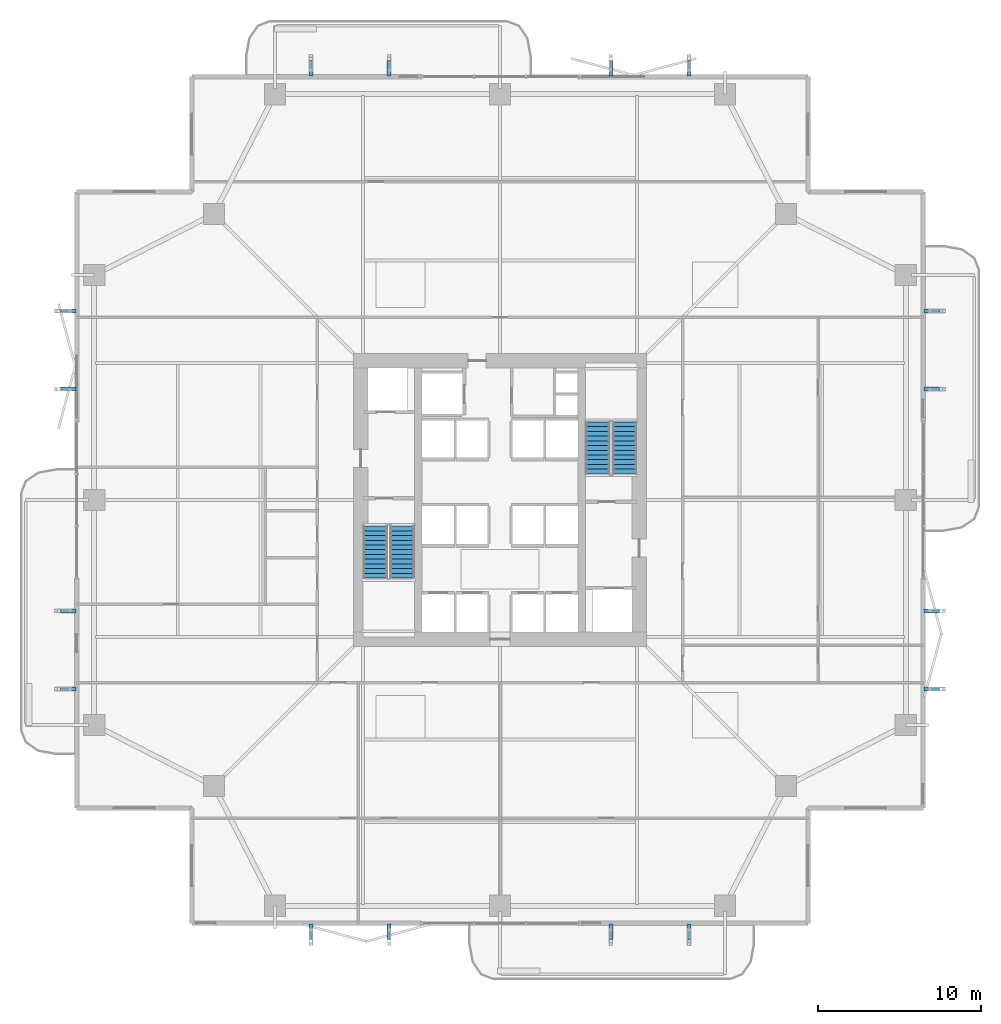
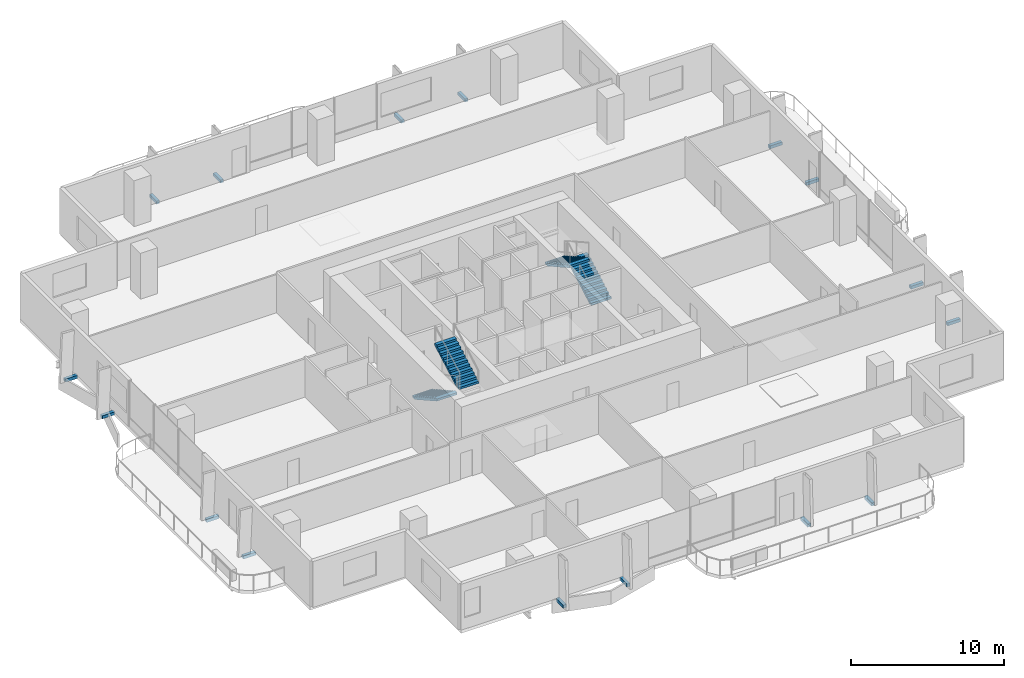
# One storey, part 20 of 24: 16 discrete accessories, 4 stair flights, 2 elements without a shape of their own.
"""IFC4 building model written with IfcOpenShell, lengths in metres."""

from ifc_helpers import new_model, si_unit, direction, frame, origin, origin_2d, place, context, subcontext, project, spatial, polyline, rectangle, outline, extrude, material, layer, layer_set, type_object, element, aggregate, save


model = new_model("IFC4")

# Units and contexts
model_context = context("Model", 3, precision=1e-05, world=origin(), true_north=direction((0.0, 1.0)))
body_context = subcontext(model_context, "Body", "Model", "MODEL_VIEW")
ifc_project = project(units=[si_unit("LENGTHUNIT", "METRE"), si_unit("AREAUNIT", "SQUARE_METRE"), si_unit("VOLUMEUNIT", "CUBIC_METRE"), si_unit("PLANEANGLEUNIT", "RADIAN"), si_unit("MASSUNIT", "GRAM", prefix="KILO")], contexts=[model_context])

# Site, building, storey
site_placement = place(None, origin())
site = spatial("IfcSite", under=ifc_project, at=site_placement, CompositionType="ELEMENT")
building_placement = place(site_placement, origin())
building = spatial("IfcBuilding", under=site, at=building_placement, Name="Belovzor Exchange Tower", CompositionType="ELEMENT")
storey_placement = place(building_placement, frame((0.0, 0.0, 121.199951171875)))
storey = spatial("IfcBuildingStorey", under=building, at=storey_placement, Name="L29", CompositionType="ELEMENT", Elevation=121.199951171875)

# Stair, stair flights
ifc_material_1 = material(Name="Concrete C40/50", Category="concrete")
stair_type = type_object("IfcStairType", Name="Reinforced Concrete Dogleg Escape Stair 1350", PredefinedType="HALF_TURN_STAIR", material=ifc_material_1)
stair_1_placement = place(storey_placement, origin())
stair_1 = element("IfcStair", 1, at=stair_1_placement, inside=storey, type_object=stair_type, Name="L29 ST-1", PredefinedType="HALF_TURN_STAIR")
ifc_material_2 = material(Name="Concrete C40/50", Category="concrete")
stair_flight_type = type_object("IfcStairFlightType", Name="Reinforced Concrete Stair Flight 1350", PredefinedType="STRAIGHT", material=ifc_material_2)
stair_flight_1_placement = place(storey_placement, frame((21.14990234375, 27.199951171875, 0.0), z_axis=(0.0, 0.0, 1.0), x_axis=(0.0, -1.0, 0.0)))
stair_flight_1 = element("IfcStairFlight", 2, at=stair_flight_1_placement, type_object=stair_flight_type, Name="ST-1 flight 1", NumberOfRisers=12, NumberOfTreads=11, PredefinedType="STRAIGHT", RiserHeight=0.1625, TreadLength=0.29, context=body_context, shape_type="SweptSolid", body=[
    extrude(outline(polyline([(0.0, 0.0), (0.0, 0.16259765625), (0.2900390625, 0.16259765625), (0.2900390625, 0.324951171875), (0.580078125, 0.324951171875), (0.580078125, 0.487548828125), (0.8701171875, 0.487548828125), (0.8701171875, 0.64990234375), (1.159912109375, 0.64990234375), (1.159912109375, 0.8125), (1.449951171875, 0.8125), (1.449951171875, 0.97509765625), (1.739990234375, 0.97509765625), (1.739990234375, 1.137451171875), (2.030029296875, 1.137451171875), (2.030029296875, 1.300048828125), (2.320068359375, 1.300048828125), (2.320068359375, 1.46240234375), (2.610107421875, 1.46240234375), (2.610107421875, 1.625), (2.89990234375, 1.625), (2.89990234375, 1.78759765625), (3.18994140625, 1.78759765625), (3.18994140625, 1.949951171875), (3.18994140625, 1.61572265625), (0.306640625, 0.0), (0.0, 0.0)])), frame((0.0, 0.75, 0.0), z_axis=(0.0, -1.0, 0.0), x_axis=(1.0, 0.0, 0.0)), (0.0, 0.0, 1.0), 1.5),
])
stair_flight_2_placement = place(storey_placement, frame((22.800048828125, 24.010009765625, 1.949951171875), z_axis=(0.0, 0.0, 1.0), x_axis=(0.0, 1.0, 0.0)))
stair_flight_2 = element("IfcStairFlight", 3, at=stair_flight_2_placement, type_object=stair_flight_type, Name="ST-1 flight 2", NumberOfRisers=12, NumberOfTreads=11, PredefinedType="STRAIGHT", RiserHeight=0.1625, TreadLength=0.29, context=body_context, shape_type="SweptSolid", body=[
    extrude(outline(polyline([(0.0, 0.0), (0.0, 0.16259765625), (0.2900390625, 0.16259765625), (0.2900390625, 0.324951171875), (0.580078125, 0.324951171875), (0.580078125, 0.487548828125), (0.8701171875, 0.487548828125), (0.8701171875, 0.64990234375), (1.159912109375, 0.64990234375), (1.159912109375, 0.8125), (1.449951171875, 0.8125), (1.449951171875, 0.97509765625), (1.739990234375, 0.97509765625), (1.739990234375, 1.137451171875), (2.030029296875, 1.137451171875), (2.030029296875, 1.300048828125), (2.320068359375, 1.300048828125), (2.320068359375, 1.46240234375), (2.610107421875, 1.46240234375), (2.610107421875, 1.625), (2.89990234375, 1.625), (2.89990234375, 1.78759765625), (3.18994140625, 1.78759765625), (3.18994140625, 1.949951171875), (3.18994140625, 1.61572265625), (0.306640625, 0.0), (0.0, 0.0)])), frame((0.0, 0.75, 0.0), z_axis=(0.0, -1.0, 0.0), x_axis=(1.0, 0.0, 0.0)), (0.0, 0.0, 1.0), 1.5),
])
aggregate(stair_1, [stair_flight_1, stair_flight_2])

stair_2_placement = place(storey_placement, origin())
stair_2 = element("IfcStair", 4, at=stair_2_placement, inside=storey, type_object=stair_type, Name="L29 ST-2", PredefinedType="HALF_TURN_STAIR")
stair_flight_3_placement = place(storey_placement, frame((36.449951171875, 30.39990234375, 0.0), z_axis=(0.0, 0.0, 1.0), x_axis=(0.0, 1.0, 0.0)))
stair_flight_3 = element("IfcStairFlight", 5, at=stair_flight_3_placement, type_object=stair_flight_type, Name="ST-2 flight 1", NumberOfRisers=12, NumberOfTreads=11, PredefinedType="STRAIGHT", RiserHeight=0.1625, TreadLength=0.29, context=body_context, shape_type="SweptSolid", body=[
    extrude(outline(polyline([(0.0, 0.0), (0.0, 0.16259765625), (0.2900390625, 0.16259765625), (0.2900390625, 0.324951171875), (0.580078125, 0.324951171875), (0.580078125, 0.487548828125), (0.8701171875, 0.487548828125), (0.8701171875, 0.64990234375), (1.159912109375, 0.64990234375), (1.159912109375, 0.8125), (1.449951171875, 0.8125), (1.449951171875, 0.97509765625), (1.739990234375, 0.97509765625), (1.739990234375, 1.137451171875), (2.030029296875, 1.137451171875), (2.030029296875, 1.300048828125), (2.320068359375, 1.300048828125), (2.320068359375, 1.46240234375), (2.610107421875, 1.46240234375), (2.610107421875, 1.625), (2.89990234375, 1.625), (2.89990234375, 1.78759765625), (3.18994140625, 1.78759765625), (3.18994140625, 1.949951171875), (3.18994140625, 1.61572265625), (0.306640625, 0.0), (0.0, 0.0)])), frame((0.0, 0.75, 0.0), z_axis=(0.0, -1.0, 0.0), x_axis=(1.0, 0.0, 0.0)), (0.0, 0.0, 1.0), 1.5),
])
stair_flight_4_placement = place(storey_placement, frame((34.800048828125, 33.590087890625, 1.949951171875), z_axis=(0.0, 0.0, 1.0), x_axis=(0.0, -1.0, 0.0)))
stair_flight_4 = element("IfcStairFlight", 6, at=stair_flight_4_placement, type_object=stair_flight_type, Name="ST-2 flight 2", NumberOfRisers=12, NumberOfTreads=11, PredefinedType="STRAIGHT", RiserHeight=0.1625, TreadLength=0.29, context=body_context, shape_type="SweptSolid", body=[
    extrude(outline(polyline([(0.0, 0.0), (0.0, 0.16259765625), (0.2900390625, 0.16259765625), (0.2900390625, 0.324951171875), (0.580078125, 0.324951171875), (0.580078125, 0.487548828125), (0.8701171875, 0.487548828125), (0.8701171875, 0.64990234375), (1.159912109375, 0.64990234375), (1.159912109375, 0.8125), (1.449951171875, 0.8125), (1.449951171875, 0.97509765625), (1.739990234375, 0.97509765625), (1.739990234375, 1.137451171875), (2.030029296875, 1.137451171875), (2.030029296875, 1.300048828125), (2.320068359375, 1.300048828125), (2.320068359375, 1.46240234375), (2.610107421875, 1.46240234375), (2.610107421875, 1.625), (2.89990234375, 1.625), (2.89990234375, 1.78759765625), (3.18994140625, 1.78759765625), (3.18994140625, 1.949951171875), (3.18994140625, 1.61572265625), (0.306640625, 0.0), (0.0, 0.0)])), frame((0.0, 0.75, 0.0), z_axis=(0.0, -1.0, 0.0), x_axis=(1.0, 0.0, 0.0)), (0.0, 0.0, 1.0), 1.5),
])
aggregate(stair_2, [stair_flight_3, stair_flight_4])

# Discrete accessories
ifc_material_3 = material(Name="Stainless Steel Grade 316", Category="steel")
ifc_layer = layer(ifc_material_3, 0.179931640625)
ifc_layer_set = layer_set([ifc_layer], Name="Stainless Steel Grade 316")
discrete_accessory_type = type_object("IfcDiscreteAccessoryType", Name="Stainless Steel Facade Outrigger Fixing Bracket", PredefinedType="BRACKET", material=ifc_layer_set)
for number, where, z_axis, x_axis, name in (
    (7, (17.199951171875, 2.30810546875, -0.2451171875), (0.0, 0.0, 1.0), (0.0, 1.0, 0.0), "BRK-FIN1 Sweeping Fin Outrigger Bracket L29 S1"),
    (8, (17.199951171875, 55.291015625, -0.2451171875), (0.0, 0.0, 1.0), (0.0, 1.0, 0.0), "BRK-FIN1 Sweeping Fin Outrigger Bracket L29 N1"),
    (9, (2.30810546875, 17.199951171875, -0.2451171875), (0.0, 0.0, 1.0), (1.0, 0.0, 0.0), "BRK-FIN1 Sweeping Fin Outrigger Bracket L29 W1"),
    (10, (55.291015625, 17.199951171875, -0.2451171875), (0.0, 0.0, 1.0), (1.0, 0.0, 0.0), "BRK-FIN1 Sweeping Fin Outrigger Bracket L29 E1"),
    (11, (22.0, 2.30810546875, -0.2451171875), (0.0, 0.0, 1.0), (0.0, 1.0, 0.0), "BRK-FIN1 Sweeping Fin Outrigger Bracket L29 S2"),
    (12, (22.0, 55.291015625, -0.2451171875), (0.0, 0.0, 1.0), (0.0, 1.0, 0.0), "BRK-FIN1 Sweeping Fin Outrigger Bracket L29 N2"),
    (13, (2.30810546875, 22.0, -0.2451171875), (0.0, 0.0, 1.0), (1.0, 0.0, 0.0), "BRK-FIN1 Sweeping Fin Outrigger Bracket L29 W2"),
    (14, (55.291015625, 22.0, -0.2451171875), (0.0, 0.0, 1.0), (1.0, 0.0, 0.0), "BRK-FIN1 Sweeping Fin Outrigger Bracket L29 E2"),
    (15, (35.60009765625, 2.30810546875, -0.2451171875), (0.0, 0.0, 1.0), (0.0, 1.0, 0.0), "BRK-FIN1 Sweeping Fin Outrigger Bracket L29 S3"),
    (16, (35.60009765625, 55.291015625, -0.2451171875), (0.0, 0.0, 1.0), (0.0, 1.0, 0.0), "BRK-FIN1 Sweeping Fin Outrigger Bracket L29 N3"),
    (17, (2.30810546875, 35.60009765625, -0.2451171875), (0.0, 0.0, 1.0), (1.0, 0.0, 0.0), "BRK-FIN1 Sweeping Fin Outrigger Bracket L29 W3"),
    (18, (55.291015625, 35.60009765625, -0.2451171875), (0.0, 0.0, 1.0), (1.0, 0.0, 0.0), "BRK-FIN1 Sweeping Fin Outrigger Bracket L29 E3"),
    (19, (40.39990234375, 2.30810546875, -0.2451171875), (0.0, 0.0, 1.0), (0.0, 1.0, 0.0), "BRK-FIN1 Sweeping Fin Outrigger Bracket L29 S4"),
    (20, (40.39990234375, 55.291015625, -0.2451171875), (0.0, 0.0, 1.0), (0.0, 1.0, 0.0), "BRK-FIN1 Sweeping Fin Outrigger Bracket L29 N4"),
    (21, (2.30810546875, 40.39990234375, -0.2451171875), (0.0, 0.0, 1.0), (1.0, 0.0, 0.0), "BRK-FIN1 Sweeping Fin Outrigger Bracket L29 W4"),
    (22, (55.291015625, 40.39990234375, -0.2451171875), (0.0, 0.0, 1.0), (1.0, 0.0, 0.0), "BRK-FIN1 Sweeping Fin Outrigger Bracket L29 E4"),
):
    element("IfcDiscreteAccessory", number, at=place(storey_placement, frame(where, z_axis=z_axis, x_axis=x_axis)), inside=storey, type_object=discrete_accessory_type, Name=name, PredefinedType="BRACKET", context=body_context, shape_type="SweptSolid", body=[
        extrude(rectangle(XDim=0.943115234375, YDim=0.239990234375, at=origin_2d()), origin(), (0.0, 0.0, 1.0), 0.239990234375),
    ])

save(model, "model.ifc")
